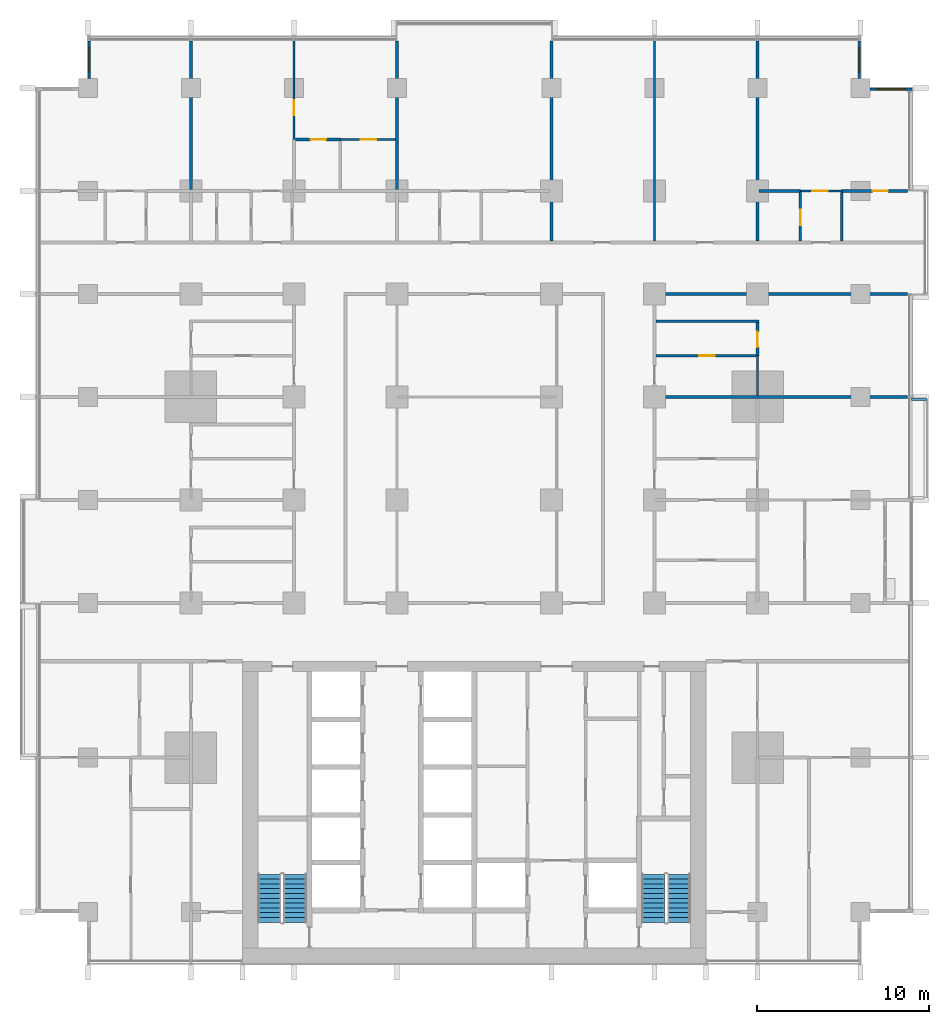
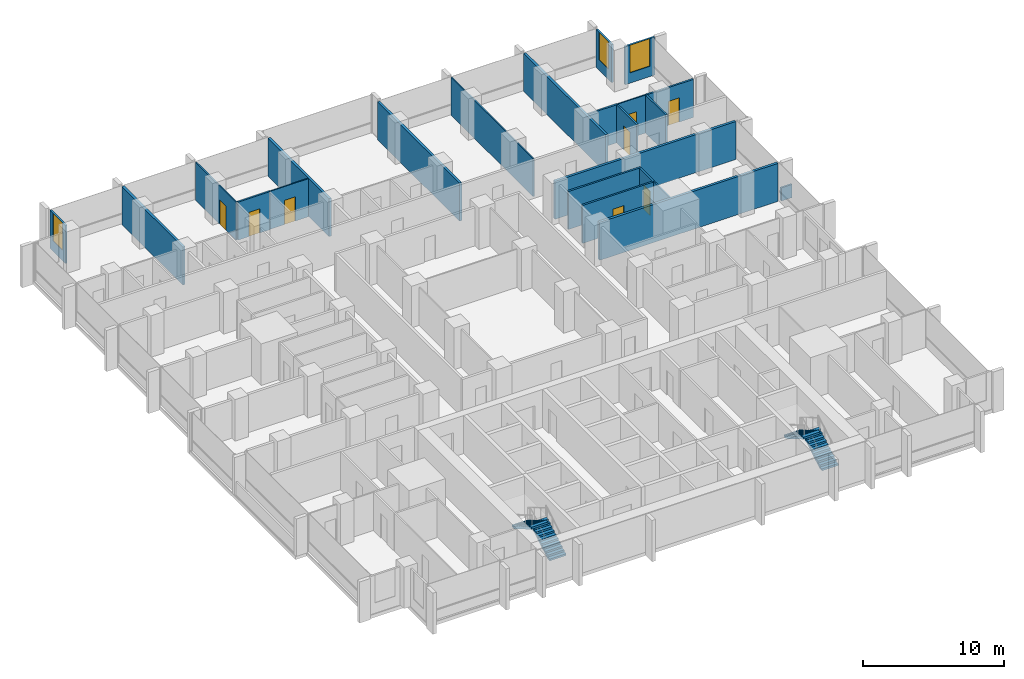
# One storey, part 12 of 17: 23 walls, 8 doors, 4 stair flights, 3 windows, 11 openings, 2 elements without a shape of their own.
"""IFC4 building model written with IfcOpenShell, lengths in metres."""

from ifc_helpers import new_model, si_unit, direction, frame, frame_2d, origin, place, context, subcontext, project, spatial, polyline, rectangle, outline, extrude, material, layer, layer_set, type_object, element, fill, aggregate, save


model = new_model("IFC4")

# Units and contexts
model_context = context("Model", 3, precision=1e-05, world=origin(), true_north=direction((0.0, 1.0)))
body_context = subcontext(model_context, "Body", "Model", "MODEL_VIEW")
ifc_project = project(units=[si_unit("LENGTHUNIT", "METRE"), si_unit("AREAUNIT", "SQUARE_METRE"), si_unit("VOLUMEUNIT", "CUBIC_METRE"), si_unit("PLANEANGLEUNIT", "RADIAN"), si_unit("MASSUNIT", "GRAM", prefix="KILO")], contexts=[model_context])

# Site, building, storey
site_placement = place(None, origin())
site = spatial("IfcSite", under=ifc_project, at=site_placement, CompositionType="ELEMENT")
building_placement = place(site_placement, origin())
building = spatial("IfcBuilding", under=site, at=building_placement, Name="Finial Court Residences", CompositionType="ELEMENT")
storey_placement = place(building_placement, frame((0.0, 0.0, 64.89990234375)))
storey = spatial("IfcBuildingStorey", under=building, at=storey_placement, Name="L15", CompositionType="ELEMENT", Elevation=64.89990234375)

# Walls
ifc_material_1 = material(Name="Gypsum board")
ifc_layer_1 = layer(ifc_material_1, 0.02490234375)
ifc_material_2 = material(Name="Acoustic mineral wool in double frame")
ifc_layer_2 = layer(ifc_material_2, 0.14990234375)
ifc_layer_3 = layer(ifc_material_1, 0.02490234375)
ifc_layer_set_1 = layer_set([ifc_layer_1, ifc_layer_2, ifc_layer_3], Name="Acoustic party wall 200, 1 hour")
wall_type_1 = type_object("IfcWallType", Name="Acoustic party wall 200, 1 hour", PredefinedType="PARTITIONING", material=ifc_layer_set_1)
wall_1_placement = place(storey_placement, frame((10.60009765625, 7.5, 0.0), z_axis=(0.0, 0.0, 1.0), x_axis=(1.0, 0.0, 0.0)))
element("IfcWall", 1, at=wall_1_placement, inside=storey, type_object=wall_type_1, Name="Partition L15-023", PredefinedType="PARTITIONING", context=body_context, shape_type="SweptSolid", body=[
    extrude(rectangle(XDim=14.64990234375, YDim=0.199951171875, at=frame_2d((7.324951171875, 0.0))), origin(), (0.0, 0.0, 1.0), 3.300048828125),
])
for number, where, z_axis, x_axis, name in (
    (2, (-16.5, 19.574951171875, 0.0), (0.0, 0.0, 1.0), (0.0, 1.0, 0.0), "Partition L15-054"),
    (3, (-4.5, 19.574951171875, 0.0), (0.0, 0.0, 1.0), (0.0, 1.0, 0.0), "Partition L15-070"),
):
    element("IfcWall", number, at=place(storey_placement, frame(where, z_axis=z_axis, x_axis=x_axis)), inside=storey, type_object=wall_type_1, Name=name, PredefinedType="PARTITIONING", context=body_context, shape_type="SweptSolid", body=[
        extrude(rectangle(XDim=8.675048828125, YDim=0.199951171875, at=frame_2d((4.33740234375, 0.0))), origin(), (0.0, 0.0, 1.0), 3.300048828125),
    ])
ifc_layer_4 = layer(ifc_material_1, 0.02490234375)
ifc_layer_5 = layer(ifc_material_2, 0.14990234375)
ifc_layer_6 = layer(ifc_material_1, 0.02490234375)
ifc_layer_set_2 = layer_set([ifc_layer_4, ifc_layer_5, ifc_layer_6], Name="Corridor wall 200, 1 hour")
wall_type_2 = type_object("IfcWallType", Name="Corridor wall 200, 1 hour", PredefinedType="PARTITIONING", material=ifc_layer_set_2)
wall_2_placement = place(storey_placement, frame((10.39990234375, 13.5, 0.0), z_axis=(0.0, 0.0, 1.0), x_axis=(1.0, 0.0, 0.0)))
element("IfcWall", 4, at=wall_2_placement, inside=storey, type_object=wall_type_2, Name="Partition L15-030", PredefinedType="PARTITIONING", context=body_context, shape_type="SweptSolid", body=[
    extrude(rectangle(XDim=14.85009765625, YDim=0.199951171875, at=frame_2d((7.425048828125, 0.0))), origin(), (0.0, 0.0, 1.0), 3.300048828125),
])
for number, where, z_axis, x_axis, name in (
    (5, (4.5, 16.60009765625, 0.0), (0.0, 0.0, 1.0), (0.0, 1.0, 0.0), "Partition L15-073"),
    (6, (16.5, 16.60009765625, 0.0), (0.0, 0.0, 1.0), (0.0, 1.0, 0.0), "Partition L15-078"),
):
    element("IfcWall", number, at=place(storey_placement, frame(where, z_axis=z_axis, x_axis=x_axis)), inside=storey, type_object=wall_type_2, Name=name, PredefinedType="PARTITIONING", context=body_context, shape_type="SweptSolid", body=[
        extrude(rectangle(XDim=11.64990234375, YDim=0.199951171875, at=frame_2d((5.824951171875, 0.0))), origin(), (0.0, 0.0, 1.0), 3.300048828125),
    ])

# Wall, opening, door
ifc_layer_7 = layer(ifc_material_1, 0.012451171875)
ifc_material_3 = material(Name="Mineral wool in light-gauge frame")
ifc_layer_8 = layer(ifc_material_3, 0.074951171875)
ifc_layer_9 = layer(ifc_material_1, 0.012451171875)
ifc_layer_set_3 = layer_set([ifc_layer_7, ifc_layer_8, ifc_layer_9], Name="Gypsum board partition 100")
wall_type_3 = type_object("IfcWallType", Name="Gypsum board partition 100", PredefinedType="PARTITIONING", material=ifc_layer_set_3)
wall_3_placement = place(storey_placement, frame((19.0, 19.5, 0.0), z_axis=(0.0, 0.0, 1.0), x_axis=(1.0, 0.0, 0.0)))
wall_3 = element("IfcWall", 7, at=wall_3_placement, inside=storey, type_object=wall_type_3, Name="Partition L15-035", PredefinedType="PARTITIONING", context=body_context, shape_type="SweptSolid", body=[
    extrude(rectangle(XDim=2.39990234375, YDim=0.10009765625, at=frame_2d((1.199951171875, 0.0))), origin(), (0.0, 0.0, 1.0), 3.300048828125),
])
opening_1_placement = place(wall_3_placement, frame((0.699951171875, 0.0, 0.0)))
opening_1 = element("IfcOpeningElement", 8, at=opening_1_placement, cuts=wall_3, Name="Opening L15-D027", PredefinedType="OPENING", context=body_context, shape_type="SweptSolid", body=[
    extrude(rectangle(XDim=0.89990234375, YDim=2.10009765625, at=frame_2d((0.449951171875, 1.050048828125))), frame((0.0, 0.06005859375, 0.0), z_axis=(0.0, -1.0, 0.0), x_axis=(1.0, 0.0, 0.0)), (0.0, 0.0, 1.0), 0.1201171875),
])
ifc_material_4 = material(Name="Timber door leaf in timber frame", Category="wood")
door_type = type_object("IfcDoorType", Name="Door set 900 x 2100", OperationType="SINGLE_SWING_LEFT", PredefinedType="DOOR", material=ifc_material_4)
door_1_placement = place(opening_1_placement, origin())
door_1 = element("IfcDoor", 9, at=door_1_placement, inside=storey, type_object=door_type, Name="Door L15-D027", OperationType="SINGLE_SWING_RIGHT", OverallHeight=2.10009765625, OverallWidth=0.89990234375, PredefinedType="DOOR", context=body_context, shape_type="SweptSolid", body=[
    extrude(rectangle(XDim=0.89990234375, YDim=2.10009765625, at=frame_2d((0.449951171875, 1.050048828125))), frame((0.0, 0.02490234375, 0.0), z_axis=(0.0, -1.0, 0.0), x_axis=(1.0, 0.0, 0.0)), (0.0, 0.0, 1.0), 0.050048828125),
])
fill(opening_1, door_1)

wall_4_placement = place(storey_placement, frame((-7.800048828125, 22.5, 0.0), z_axis=(0.0, 0.0, 1.0), x_axis=(1.0, 0.0, 0.0)))
wall_4 = element("IfcWall", 10, at=wall_4_placement, inside=storey, type_object=wall_type_3, Name="Partition L15-042", PredefinedType="PARTITIONING", context=body_context, shape_type="SweptSolid", body=[
    extrude(rectangle(XDim=3.199951171875, YDim=0.10009765625, at=frame_2d((1.60009765625, 0.0))), origin(), (0.0, 0.0, 1.0), 3.300048828125),
])
opening_2_placement = place(wall_4_placement, frame((1.199951171875, 0.0, 0.0)))
opening_2 = element("IfcOpeningElement", 11, at=opening_2_placement, cuts=wall_4, Name="Opening L15-D031", PredefinedType="OPENING", context=body_context, shape_type="SweptSolid", body=[
    extrude(rectangle(XDim=0.89990234375, YDim=2.10009765625, at=frame_2d((0.449951171875, 1.050048828125))), frame((0.0, 0.06005859375, 0.0), z_axis=(0.0, -1.0, 0.0), x_axis=(1.0, 0.0, 0.0)), (0.0, 0.0, 1.0), 0.1201171875),
])
door_2_placement = place(opening_2_placement, origin())
door_2 = element("IfcDoor", 12, at=door_2_placement, inside=storey, type_object=door_type, Name="Door L15-D031", OperationType="SINGLE_SWING_RIGHT", OverallHeight=2.10009765625, OverallWidth=0.89990234375, PredefinedType="DOOR", context=body_context, shape_type="SweptSolid", body=[
    extrude(rectangle(XDim=0.89990234375, YDim=2.10009765625, at=frame_2d((0.449951171875, 1.050048828125))), frame((0.0, 0.02490234375, 0.0), z_axis=(0.0, -1.0, 0.0), x_axis=(1.0, 0.0, 0.0)), (0.0, 0.0, 1.0), 0.050048828125),
])
fill(opening_2, door_2)

wall_5_placement = place(storey_placement, frame((-10.5, 22.5, 0.0), z_axis=(0.0, 0.0, 1.0), x_axis=(0.0, 1.0, 0.0)))
wall_5 = element("IfcWall", 13, at=wall_5_placement, inside=storey, type_object=wall_type_3, Name="Partition L15-064", PredefinedType="PARTITIONING", context=body_context, shape_type="SweptSolid", body=[
    extrude(rectangle(XDim=5.75, YDim=0.10009765625, at=frame_2d((2.875, 0.0))), origin(), (0.0, 0.0, 1.0), 3.300048828125),
])
opening_3_placement = place(wall_5_placement, frame((1.39990234375, 0.0, 0.0)))
opening_3 = element("IfcOpeningElement", 14, at=opening_3_placement, cuts=wall_5, Name="Opening L15-D048", PredefinedType="OPENING", context=body_context, shape_type="SweptSolid", body=[
    extrude(rectangle(XDim=0.89990234375, YDim=2.10009765625, at=frame_2d((0.449951171875, 1.050048828125))), frame((0.0, 0.06005859375, 0.0), z_axis=(0.0, -1.0, 0.0), x_axis=(1.0, 0.0, 0.0)), (0.0, 0.0, 1.0), 0.1201171875),
])
door_3_placement = place(opening_3_placement, origin())
door_3 = element("IfcDoor", 15, at=door_3_placement, inside=storey, type_object=door_type, Name="Door L15-D048", OperationType="SINGLE_SWING_LEFT", OverallHeight=2.10009765625, OverallWidth=0.89990234375, PredefinedType="DOOR", context=body_context, shape_type="SweptSolid", body=[
    extrude(rectangle(XDim=0.89990234375, YDim=2.10009765625, at=frame_2d((0.449951171875, 1.050048828125))), frame((0.0, 0.02490234375, 0.0), z_axis=(0.0, -1.0, 0.0), x_axis=(1.0, 0.0, 0.0)), (0.0, 0.0, 1.0), 0.050048828125),
])
fill(opening_3, door_3)

# Walls
wall_6_placement = place(storey_placement, frame((10.5, 16.60009765625, 0.0), z_axis=(0.0, 0.0, 1.0), x_axis=(0.0, 1.0, 0.0)))
element("IfcWall", 16, at=wall_6_placement, inside=storey, type_object=wall_type_3, Name="Partition L15-077", PredefinedType="PARTITIONING", context=body_context, shape_type="SweptSolid", body=[
    extrude(rectangle(XDim=11.64990234375, YDim=0.10009765625, at=frame_2d((5.824951171875, 0.0))), origin(), (0.0, 0.0, 1.0), 3.300048828125),
])
wall_7_placement = place(storey_placement, frame((16.5, 7.60009765625, 0.0), z_axis=(0.0, 0.0, 1.0), x_axis=(0.0, 1.0, 0.0)))
element("IfcWall", 17, at=wall_7_placement, inside=storey, type_object=wall_type_3, Name="Partition L15-081", PredefinedType="PARTITIONING", context=body_context, shape_type="SweptSolid", body=[
    extrude(rectangle(XDim=2.2998046875, YDim=0.10009765625, at=frame_2d((1.14990234375, 0.0))), origin(), (0.0, 0.0, 1.0), 3.300048828125),
])

# Wall, opening, door
ifc_material_5 = material(Name="Moisture-resistant gypsum board")
ifc_layer_10 = layer(ifc_material_5, 0.012451171875)
ifc_layer_11 = layer(ifc_material_3, 0.125)
ifc_layer_12 = layer(ifc_material_5, 0.012451171875)
ifc_layer_set_4 = layer_set([ifc_layer_10, ifc_layer_11, ifc_layer_12], Name="Gypsum board wet-area partition 150")
wall_type_4 = type_object("IfcWallType", Name="Gypsum board wet-area partition 150", PredefinedType="PARTITIONING", material=ifc_layer_set_4)
wall_8_placement = place(storey_placement, frame((10.60009765625, 9.89990234375, 0.0), z_axis=(0.0, 0.0, 1.0), x_axis=(1.0, 0.0, 0.0)))
wall_8 = element("IfcWall", 18, at=wall_8_placement, inside=storey, type_object=wall_type_4, Name="Partition L15-025", PredefinedType="PARTITIONING", context=body_context, shape_type="SweptSolid", body=[
    extrude(rectangle(XDim=5.824951171875, YDim=0.14990234375, at=frame_2d((2.91259765625, 0.0))), origin(), (0.0, 0.0, 1.0), 3.300048828125),
])
opening_4_placement = place(wall_8_placement, frame((2.5, 0.0, 0.0)))
opening_4 = element("IfcOpeningElement", 19, at=opening_4_placement, cuts=wall_8, Name="Opening L15-D016", PredefinedType="OPENING", context=body_context, shape_type="SweptSolid", body=[
    extrude(rectangle(XDim=0.89990234375, YDim=2.10009765625, at=frame_2d((0.449951171875, 1.050048828125))), frame((0.0, 0.0849609375, 0.0), z_axis=(0.0, -1.0, 0.0), x_axis=(1.0, 0.0, 0.0)), (0.0, 0.0, 1.0), 0.169921875),
])
door_4_placement = place(opening_4_placement, origin())
door_4 = element("IfcDoor", 20, at=door_4_placement, inside=storey, type_object=door_type, Name="Door L15-D016", OperationType="SINGLE_SWING_RIGHT", OverallHeight=2.10009765625, OverallWidth=0.89990234375, PredefinedType="DOOR", context=body_context, shape_type="SweptSolid", body=[
    extrude(rectangle(XDim=0.89990234375, YDim=2.10009765625, at=frame_2d((0.449951171875, 1.050048828125))), frame((0.0, 0.02490234375, 0.0), z_axis=(0.0, -1.0, 0.0), x_axis=(1.0, 0.0, 0.0)), (0.0, 0.0, 1.0), 0.050048828125),
])
fill(opening_4, door_4)

# Walls
wall_9_placement = place(storey_placement, frame((10.60009765625, 11.89990234375, 0.0), z_axis=(0.0, 0.0, 1.0), x_axis=(1.0, 0.0, 0.0)))
element("IfcWall", 21, at=wall_9_placement, inside=storey, type_object=wall_type_4, Name="Partition L15-027", PredefinedType="PARTITIONING", context=body_context, shape_type="SweptSolid", body=[
    extrude(rectangle(XDim=5.974853515625, YDim=0.14990234375, at=frame_2d((2.9873046875, 0.0))), origin(), (0.0, 0.0, 1.0), 3.300048828125),
])
wall_10_placement = place(storey_placement, frame((16.60009765625, 19.5, 0.0), z_axis=(0.0, 0.0, 1.0), x_axis=(1.0, 0.0, 0.0)))
element("IfcWall", 22, at=wall_10_placement, inside=storey, type_object=wall_type_4, Name="Partition L15-040", PredefinedType="PARTITIONING", context=body_context, shape_type="SweptSolid", body=[
    extrude(rectangle(XDim=2.39990234375, YDim=0.14990234375, at=frame_2d((1.199951171875, 0.0))), origin(), (0.0, 0.0, 1.0), 3.300048828125),
])

# Wall, opening, door
wall_11_placement = place(storey_placement, frame((21.39990234375, 19.5, 0.0), z_axis=(0.0, 0.0, 1.0), x_axis=(1.0, 0.0, 0.0)))
wall_11 = element("IfcWall", 23, at=wall_11_placement, inside=storey, type_object=wall_type_4, Name="Partition L15-041", PredefinedType="PARTITIONING", context=body_context, shape_type="SweptSolid", body=[
    extrude(rectangle(XDim=3.85009765625, YDim=0.14990234375, at=frame_2d((1.925048828125, 0.0))), origin(), (0.0, 0.0, 1.0), 3.300048828125),
])
opening_5_placement = place(wall_11_placement, frame((1.800048828125, 0.0, 0.0)))
opening_5 = element("IfcOpeningElement", 24, at=opening_5_placement, cuts=wall_11, Name="Opening L15-D030", PredefinedType="OPENING", context=body_context, shape_type="SweptSolid", body=[
    extrude(rectangle(XDim=0.89990234375, YDim=2.10009765625, at=frame_2d((0.449951171875, 1.050048828125))), frame((0.0, 0.0849609375, 0.0), z_axis=(0.0, -1.0, 0.0), x_axis=(1.0, 0.0, 0.0)), (0.0, 0.0, 1.0), 0.169921875),
])
door_5_placement = place(opening_5_placement, origin())
door_5 = element("IfcDoor", 25, at=door_5_placement, inside=storey, type_object=door_type, Name="Door L15-D030", OperationType="SINGLE_SWING_RIGHT", OverallHeight=2.10009765625, OverallWidth=0.89990234375, PredefinedType="DOOR", context=body_context, shape_type="SweptSolid", body=[
    extrude(rectangle(XDim=0.89990234375, YDim=2.10009765625, at=frame_2d((0.449951171875, 1.050048828125))), frame((0.0, 0.02490234375, 0.0), z_axis=(0.0, -1.0, 0.0), x_axis=(1.0, 0.0, 0.0)), (0.0, 0.0, 1.0), 0.050048828125),
])
fill(opening_5, door_5)

wall_12_placement = place(storey_placement, frame((-10.425048828125, 22.5, 0.0), z_axis=(0.0, 0.0, 1.0), x_axis=(1.0, 0.0, 0.0)))
wall_12 = element("IfcWall", 26, at=wall_12_placement, inside=storey, type_object=wall_type_4, Name="Partition L15-043", PredefinedType="PARTITIONING", context=body_context, shape_type="SweptSolid", body=[
    extrude(rectangle(XDim=2.625, YDim=0.14990234375, at=frame_2d((1.3125, 0.0))), origin(), (0.0, 0.0, 1.0), 3.300048828125),
])
opening_6_placement = place(wall_12_placement, frame((0.89990234375, 0.0, 0.0)))
opening_6 = element("IfcOpeningElement", 27, at=opening_6_placement, cuts=wall_12, Name="Opening L15-D032", PredefinedType="OPENING", context=body_context, shape_type="SweptSolid", body=[
    extrude(rectangle(XDim=0.89990234375, YDim=2.10009765625, at=frame_2d((0.449951171875, 1.050048828125))), frame((0.0, 0.0849609375, 0.0), z_axis=(0.0, -1.0, 0.0), x_axis=(1.0, 0.0, 0.0)), (0.0, 0.0, 1.0), 0.169921875),
])
door_6_placement = place(opening_6_placement, origin())
door_6 = element("IfcDoor", 28, at=door_6_placement, inside=storey, type_object=door_type, Name="Door L15-D032", OperationType="SINGLE_SWING_RIGHT", OverallHeight=2.10009765625, OverallWidth=0.89990234375, PredefinedType="DOOR", context=body_context, shape_type="SweptSolid", body=[
    extrude(rectangle(XDim=0.89990234375, YDim=2.10009765625, at=frame_2d((0.449951171875, 1.050048828125))), frame((0.0, 0.02490234375, 0.0), z_axis=(0.0, -1.0, 0.0), x_axis=(1.0, 0.0, 0.0)), (0.0, 0.0, 1.0), 0.050048828125),
])
fill(opening_6, door_6)

wall_13_placement = place(storey_placement, frame((16.5, 9.89990234375, 0.0), z_axis=(0.0, 0.0, 1.0), x_axis=(0.0, 1.0, 0.0)))
wall_13 = element("IfcWall", 29, at=wall_13_placement, inside=storey, type_object=wall_type_4, Name="Partition L15-085", PredefinedType="PARTITIONING", context=body_context, shape_type="SweptSolid", body=[
    extrude(rectangle(XDim=1.925048828125, YDim=0.14990234375, at=frame_2d((0.96240234375, 0.0))), origin(), (0.0, 0.0, 1.0), 3.300048828125),
])
opening_7_placement = place(wall_13_placement, frame((0.5, 0.0, 0.0)))
opening_7 = element("IfcOpeningElement", 30, at=opening_7_placement, cuts=wall_13, Name="Opening L15-D054", PredefinedType="OPENING", context=body_context, shape_type="SweptSolid", body=[
    extrude(rectangle(XDim=0.89990234375, YDim=2.10009765625, at=frame_2d((0.449951171875, 1.050048828125))), frame((0.0, 0.0849609375, 0.0), z_axis=(0.0, -1.0, 0.0), x_axis=(1.0, 0.0, 0.0)), (0.0, 0.0, 1.0), 0.169921875),
])
door_7_placement = place(opening_7_placement, origin())
door_7 = element("IfcDoor", 31, at=door_7_placement, inside=storey, type_object=door_type, Name="Door L15-D054", OperationType="SINGLE_SWING_LEFT", OverallHeight=2.10009765625, OverallWidth=0.89990234375, PredefinedType="DOOR", context=body_context, shape_type="SweptSolid", body=[
    extrude(rectangle(XDim=0.89990234375, YDim=2.10009765625, at=frame_2d((0.449951171875, 1.050048828125))), frame((0.0, 0.02490234375, 0.0), z_axis=(0.0, -1.0, 0.0), x_axis=(1.0, 0.0, 0.0)), (0.0, 0.0, 1.0), 0.050048828125),
])
fill(opening_7, door_7)

wall_14_placement = place(storey_placement, frame((19.0, 16.60009765625, 0.0), z_axis=(0.0, 0.0, 1.0), x_axis=(0.0, 1.0, 0.0)))
wall_14 = element("IfcWall", 32, at=wall_14_placement, inside=storey, type_object=wall_type_4, Name="Partition L15-086", PredefinedType="PARTITIONING", context=body_context, shape_type="SweptSolid", body=[
    extrude(rectangle(XDim=2.824951171875, YDim=0.14990234375, at=frame_2d((1.41259765625, 0.0))), origin(), (0.0, 0.0, 1.0), 3.300048828125),
])
opening_8_placement = place(wall_14_placement, frame((0.89990234375, 0.0, 0.0)))
opening_8 = element("IfcOpeningElement", 33, at=opening_8_placement, cuts=wall_14, Name="Opening L15-D055", PredefinedType="OPENING", context=body_context, shape_type="SweptSolid", body=[
    extrude(rectangle(XDim=0.89990234375, YDim=2.10009765625, at=frame_2d((0.449951171875, 1.050048828125))), frame((0.0, 0.0849609375, 0.0), z_axis=(0.0, -1.0, 0.0), x_axis=(1.0, 0.0, 0.0)), (0.0, 0.0, 1.0), 0.169921875),
])
door_8_placement = place(opening_8_placement, origin())
door_8 = element("IfcDoor", 34, at=door_8_placement, inside=storey, type_object=door_type, Name="Door L15-D055", OperationType="SINGLE_SWING_LEFT", OverallHeight=2.10009765625, OverallWidth=0.89990234375, PredefinedType="DOOR", context=body_context, shape_type="SweptSolid", body=[
    extrude(rectangle(XDim=0.89990234375, YDim=2.10009765625, at=frame_2d((0.449951171875, 1.050048828125))), frame((0.0, 0.02490234375, 0.0), z_axis=(0.0, -1.0, 0.0), x_axis=(1.0, 0.0, 0.0)), (0.0, 0.0, 1.0), 0.050048828125),
])
fill(opening_8, door_8)

# Walls
wall_15_placement = place(storey_placement, frame((21.39990234375, 16.60009765625, 0.0), z_axis=(0.0, 0.0, 1.0), x_axis=(0.0, 1.0, 0.0)))
element("IfcWall", 35, at=wall_15_placement, inside=storey, type_object=wall_type_4, Name="Partition L15-089", PredefinedType="PARTITIONING", context=body_context, shape_type="SweptSolid", body=[
    extrude(rectangle(XDim=2.824951171875, YDim=0.14990234375, at=frame_2d((1.41259765625, 0.0))), origin(), (0.0, 0.0, 1.0), 3.300048828125),
])
ifc_material_6 = material(Name="Concrete C35/45", Category="concrete")
ifc_layer_13 = layer(ifc_material_6, 0.14990234375)
ifc_layer_set_5 = layer_set([ifc_layer_13], Name="Ledge parapet, Concrete C35/45 150")
wall_type_5 = type_object("IfcWallType", Name="Ledge parapet, Concrete C35/45 150", PredefinedType="PARAPET", material=ifc_layer_set_5)
wall_16_placement = place(storey_placement, frame((25.4599609375, 7.375, 0.0), z_axis=(0.0, 0.0, 1.0), x_axis=(1.0, 0.0, 0.0)))
element("IfcWall", 36, at=wall_16_placement, inside=storey, type_object=wall_type_5, Name="E-L15-LED1-P1", PredefinedType="PARAPET", context=body_context, shape_type="SweptSolid", body=[
    extrude(rectangle(XDim=0.89013671875, YDim=0.14990234375, at=frame_2d((0.445068359375, 0.0))), origin(), (0.0, 0.0, 1.0), 1.150146484375),
])

# Wall, opening, window
ifc_material_7 = material(Name="Natural limestone", Category="masonry")
ifc_layer_14 = layer(ifc_material_7, 0.14990234375)
ifc_layer_set_6 = layer_set([ifc_layer_14], Name="Limestone clad wall 150")
wall_type_6 = type_object("IfcWallType", Name="Limestone clad wall 150", PredefinedType="SOLIDWALL", material=ifc_layer_set_6)
wall_17_placement = place(storey_placement, frame((-22.425048828125, 26.050048828125, 0.0), z_axis=(0.0, 0.0, 1.0), x_axis=(0.0, 1.0, 0.0)))
wall_17 = element("IfcWall", 37, at=wall_17_placement, inside=storey, type_object=wall_type_6, Name="E-L15-NWW17", PredefinedType="SOLIDWALL", context=body_context, shape_type="SweptSolid", body=[
    extrude(rectangle(XDim=2.199951171875, YDim=0.14990234375, at=frame_2d((1.10009765625, 0.0))), origin(), (0.0, 0.0, 1.0), 3.300048828125),
])
opening_9_placement = place(wall_17_placement, frame((0.39990234375, 0.0, 0.89990234375)))
opening_9 = element("IfcOpeningElement", 38, at=opening_9_placement, cuts=wall_17, Name="Opening WE15-05", PredefinedType="OPENING", context=body_context, shape_type="SweptSolid", body=[
    extrude(rectangle(XDim=1.39990234375, YDim=2.39990234375, at=frame_2d((0.699951171875, 1.199951171875))), frame((0.0, 0.0849609375, 0.0), z_axis=(0.0, -1.0, 0.0), x_axis=(1.0, 0.0, 0.0)), (0.0, 0.0, 1.0), 0.169921875),
])
ifc_material_8 = material(Name="Clear low-e glass", Category="glass")
window_type_1 = type_object("IfcWindowType", Name="Corner window 1400 x 2400", PartitioningType="SINGLE_PANEL", PredefinedType="WINDOW", material=ifc_material_8)
window_1_placement = place(opening_9_placement, origin())
window_1 = element("IfcWindow", 39, at=window_1_placement, inside=storey, type_object=window_type_1, Name="E-L15-NWW17-W1", OverallHeight=2.39990234375, OverallWidth=1.39990234375, PartitioningType="SINGLE_PANEL", PredefinedType="WINDOW", context=body_context, shape_type="SweptSolid", body=[
    extrude(rectangle(XDim=1.39990234375, YDim=2.39990234375, at=frame_2d((0.699951171875, 1.199951171875))), frame((0.0, 0.030029296875, 0.0), z_axis=(0.0, -1.0, 0.0), x_axis=(1.0, 0.0, 0.0)), (0.0, 0.0, 1.0), 0.06005859375),
])
fill(opening_9, window_1)

wall_18_placement = place(storey_placement, frame((22.425048828125, 28.25, 0.0), z_axis=(0.0, 0.0, 1.0), x_axis=(0.0, -1.0, 0.0)))
wall_18 = element("IfcWall", 40, at=wall_18_placement, inside=storey, type_object=wall_type_6, Name="E-L15-NWE19", PredefinedType="SOLIDWALL", context=body_context, shape_type="SweptSolid", body=[
    extrude(rectangle(XDim=2.199951171875, YDim=0.14990234375, at=frame_2d((1.10009765625, 0.0))), origin(), (0.0, 0.0, 1.0), 3.300048828125),
])
opening_10_placement = place(wall_18_placement, frame((0.39990234375, 0.0, 0.89990234375)))
opening_10 = element("IfcOpeningElement", 41, at=opening_10_placement, cuts=wall_18, Name="Opening WE15-07", PredefinedType="OPENING", context=body_context, shape_type="SweptSolid", body=[
    extrude(rectangle(XDim=1.39990234375, YDim=2.39990234375, at=frame_2d((0.699951171875, 1.199951171875))), frame((0.0, 0.0849609375, 0.0), z_axis=(0.0, -1.0, 0.0), x_axis=(1.0, 0.0, 0.0)), (0.0, 0.0, 1.0), 0.169921875),
])
window_2_placement = place(opening_10_placement, origin())
window_2 = element("IfcWindow", 42, at=window_2_placement, inside=storey, type_object=window_type_1, Name="E-L15-NWE19-W1", OverallHeight=2.39990234375, OverallWidth=1.39990234375, PartitioningType="SINGLE_PANEL", PredefinedType="WINDOW", context=body_context, shape_type="SweptSolid", body=[
    extrude(rectangle(XDim=1.39990234375, YDim=2.39990234375, at=frame_2d((0.699951171875, 1.199951171875))), frame((0.0, 0.030029296875, 0.0), z_axis=(0.0, -1.0, 0.0), x_axis=(1.0, 0.0, 0.0)), (0.0, 0.0, 1.0), 0.06005859375),
])
fill(opening_10, window_2)

wall_19_placement = place(storey_placement, frame((23.050048828125, 25.425048828125, 0.0), z_axis=(0.0, 0.0, 1.0), x_axis=(1.0, 0.0, 0.0)))
wall_19 = element("IfcWall", 43, at=wall_19_placement, inside=storey, type_object=wall_type_6, Name="E-L15-NWN20", PredefinedType="SOLIDWALL", context=body_context, shape_type="SweptSolid", body=[
    extrude(rectangle(XDim=2.449951171875, YDim=0.14990234375, at=frame_2d((1.22509765625, 0.0))), origin(), (0.0, 0.0, 1.0), 3.300048828125),
])
opening_11_placement = place(wall_19_placement, frame((0.39990234375, 0.0, 0.89990234375)))
opening_11 = element("IfcOpeningElement", 44, at=opening_11_placement, cuts=wall_19, Name="Opening WE15-08", PredefinedType="OPENING", context=body_context, shape_type="SweptSolid", body=[
    extrude(rectangle(XDim=1.64990234375, YDim=2.39990234375, at=frame_2d((0.824951171875, 1.199951171875))), frame((0.0, 0.0849609375, 0.0), z_axis=(0.0, -1.0, 0.0), x_axis=(1.0, 0.0, 0.0)), (0.0, 0.0, 1.0), 0.169921875),
])
window_type_2 = type_object("IfcWindowType", Name="Corner window 1650 x 2400", PartitioningType="SINGLE_PANEL", PredefinedType="WINDOW", material=ifc_material_8)
window_3_placement = place(opening_11_placement, origin())
window_3 = element("IfcWindow", 45, at=window_3_placement, inside=storey, type_object=window_type_2, Name="E-L15-NWN20-W1", OverallHeight=2.39990234375, OverallWidth=1.64990234375, PartitioningType="SINGLE_PANEL", PredefinedType="WINDOW", context=body_context, shape_type="SweptSolid", body=[
    extrude(rectangle(XDim=1.64990234375, YDim=2.39990234375, at=frame_2d((0.824951171875, 1.199951171875))), frame((0.0, 0.030029296875, 0.0), z_axis=(0.0, -1.0, 0.0), x_axis=(1.0, 0.0, 0.0)), (0.0, 0.0, 1.0), 0.06005859375),
])
fill(opening_11, window_3)

# Stair, stair flights
ifc_material_9 = material(Name="Concrete C50/60", Category="concrete")
stair_type = type_object("IfcStairType", Name="Exit stair 22 risers of 163.6 mm", PredefinedType="HALF_TURN_STAIR", material=ifc_material_9)
stair_1_placement = place(storey_placement, origin())
stair_1 = element("IfcStair", 46, at=stair_1_placement, inside=storey, type_object=stair_type, Name="L15 Exit stair ST-1", PredefinedType="HALF_TURN_STAIR")
stair_flight_type = type_object("IfcStairFlightType", Name="Exit stair flight", PredefinedType="STRAIGHT", material=ifc_material_9)
stair_flight_1_placement = place(storey_placement, frame((-10.425048828125, -23.10009765625, 0.0), z_axis=(0.0, 0.0, 1.0), x_axis=(0.0, 1.0, 0.0)))
stair_flight_1 = element("IfcStairFlight", 47, at=stair_flight_1_placement, type_object=stair_flight_type, Name="ST-1 flight 1", NumberOfRisers=11, NumberOfTreads=10, PredefinedType="STRAIGHT", RiserHeight=0.163636364, TreadLength=0.28, context=body_context, shape_type="SweptSolid", body=[
    extrude(outline(polyline([(0.0, 0.0), (0.0, 0.16357421875), (0.280029296875, 0.16357421875), (0.280029296875, 0.327392578125), (0.56005859375, 0.327392578125), (0.56005859375, 0.490966796875), (0.840087890625, 0.490966796875), (0.840087890625, 0.654541015625), (1.1201171875, 0.654541015625), (1.1201171875, 0.818115234375), (1.39990234375, 0.818115234375), (1.39990234375, 0.98193359375), (1.679931640625, 0.98193359375), (1.679931640625, 1.1455078125), (1.9599609375, 1.1455078125), (1.9599609375, 1.30908203125), (2.239990234375, 1.30908203125), (2.239990234375, 1.47265625), (2.52001953125, 1.47265625), (2.52001953125, 1.636474609375), (2.800048828125, 1.636474609375), (2.800048828125, 1.800048828125), (2.800048828125, 1.462646484375), (0.297119140625, 0.0), (0.0, 0.0)])), frame((0.0, 0.675048828125, 0.0), z_axis=(0.0, -1.0, 0.0), x_axis=(1.0, 0.0, 0.0)), (0.0, 0.0, 1.0), 1.35009765625),
])
stair_flight_2_placement = place(storey_placement, frame((-11.925048828125, -20.300048828125, 1.800048828125), z_axis=(0.0, 0.0, 1.0), x_axis=(0.0, -1.0, 0.0)))
stair_flight_2 = element("IfcStairFlight", 48, at=stair_flight_2_placement, type_object=stair_flight_type, Name="ST-1 flight 2", NumberOfRisers=11, NumberOfTreads=10, PredefinedType="STRAIGHT", RiserHeight=0.163636364, TreadLength=0.28, context=body_context, shape_type="SweptSolid", body=[
    extrude(outline(polyline([(0.0, 0.0), (0.0, 0.16357421875), (0.280029296875, 0.16357421875), (0.280029296875, 0.327392578125), (0.56005859375, 0.327392578125), (0.56005859375, 0.490966796875), (0.840087890625, 0.490966796875), (0.840087890625, 0.654541015625), (1.1201171875, 0.654541015625), (1.1201171875, 0.818115234375), (1.39990234375, 0.818115234375), (1.39990234375, 0.98193359375), (1.679931640625, 0.98193359375), (1.679931640625, 1.1455078125), (1.9599609375, 1.1455078125), (1.9599609375, 1.30908203125), (2.239990234375, 1.30908203125), (2.239990234375, 1.47265625), (2.52001953125, 1.47265625), (2.52001953125, 1.636474609375), (2.800048828125, 1.636474609375), (2.800048828125, 1.800048828125), (2.800048828125, 1.462646484375), (0.297119140625, 0.0), (0.0, 0.0)])), frame((0.0, 0.675048828125, 0.0), z_axis=(0.0, -1.0, 0.0), x_axis=(1.0, 0.0, 0.0)), (0.0, 0.0, 1.0), 1.35009765625),
])
aggregate(stair_1, [stair_flight_1, stair_flight_2])

stair_2_placement = place(storey_placement, origin())
stair_2 = element("IfcStair", 49, at=stair_2_placement, inside=storey, type_object=stair_type, Name="L15 Exit stair ST-2", PredefinedType="HALF_TURN_STAIR")
stair_flight_3_placement = place(storey_placement, frame((11.925048828125, -23.10009765625, 0.0), z_axis=(0.0, 0.0, 1.0), x_axis=(0.0, 1.0, 0.0)))
stair_flight_3 = element("IfcStairFlight", 50, at=stair_flight_3_placement, type_object=stair_flight_type, Name="ST-2 flight 1", NumberOfRisers=11, NumberOfTreads=10, PredefinedType="STRAIGHT", RiserHeight=0.163636364, TreadLength=0.28, context=body_context, shape_type="SweptSolid", body=[
    extrude(outline(polyline([(0.0, 0.0), (0.0, 0.16357421875), (0.280029296875, 0.16357421875), (0.280029296875, 0.327392578125), (0.56005859375, 0.327392578125), (0.56005859375, 0.490966796875), (0.840087890625, 0.490966796875), (0.840087890625, 0.654541015625), (1.1201171875, 0.654541015625), (1.1201171875, 0.818115234375), (1.39990234375, 0.818115234375), (1.39990234375, 0.98193359375), (1.679931640625, 0.98193359375), (1.679931640625, 1.1455078125), (1.9599609375, 1.1455078125), (1.9599609375, 1.30908203125), (2.239990234375, 1.30908203125), (2.239990234375, 1.47265625), (2.52001953125, 1.47265625), (2.52001953125, 1.636474609375), (2.800048828125, 1.636474609375), (2.800048828125, 1.800048828125), (2.800048828125, 1.462646484375), (0.297119140625, 0.0), (0.0, 0.0)])), frame((0.0, 0.675048828125, 0.0), z_axis=(0.0, -1.0, 0.0), x_axis=(1.0, 0.0, 0.0)), (0.0, 0.0, 1.0), 1.35009765625),
])
stair_flight_4_placement = place(storey_placement, frame((10.425048828125, -20.300048828125, 1.800048828125), z_axis=(0.0, 0.0, 1.0), x_axis=(0.0, -1.0, 0.0)))
stair_flight_4 = element("IfcStairFlight", 51, at=stair_flight_4_placement, type_object=stair_flight_type, Name="ST-2 flight 2", NumberOfRisers=11, NumberOfTreads=10, PredefinedType="STRAIGHT", RiserHeight=0.163636364, TreadLength=0.28, context=body_context, shape_type="SweptSolid", body=[
    extrude(outline(polyline([(0.0, 0.0), (0.0, 0.16357421875), (0.280029296875, 0.16357421875), (0.280029296875, 0.327392578125), (0.56005859375, 0.327392578125), (0.56005859375, 0.490966796875), (0.840087890625, 0.490966796875), (0.840087890625, 0.654541015625), (1.1201171875, 0.654541015625), (1.1201171875, 0.818115234375), (1.39990234375, 0.818115234375), (1.39990234375, 0.98193359375), (1.679931640625, 0.98193359375), (1.679931640625, 1.1455078125), (1.9599609375, 1.1455078125), (1.9599609375, 1.30908203125), (2.239990234375, 1.30908203125), (2.239990234375, 1.47265625), (2.52001953125, 1.47265625), (2.52001953125, 1.636474609375), (2.800048828125, 1.636474609375), (2.800048828125, 1.800048828125), (2.800048828125, 1.462646484375), (0.297119140625, 0.0), (0.0, 0.0)])), frame((0.0, 0.675048828125, 0.0), z_axis=(0.0, -1.0, 0.0), x_axis=(1.0, 0.0, 0.0)), (0.0, 0.0, 1.0), 1.35009765625),
])
aggregate(stair_2, [stair_flight_3, stair_flight_4])

save(model, "model.ifc")
